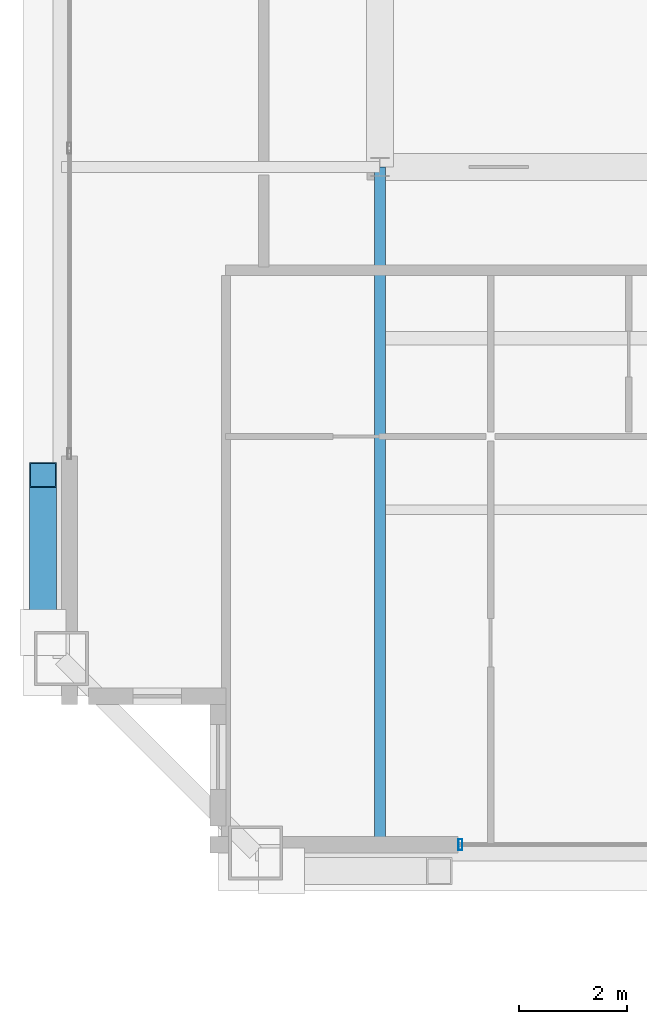
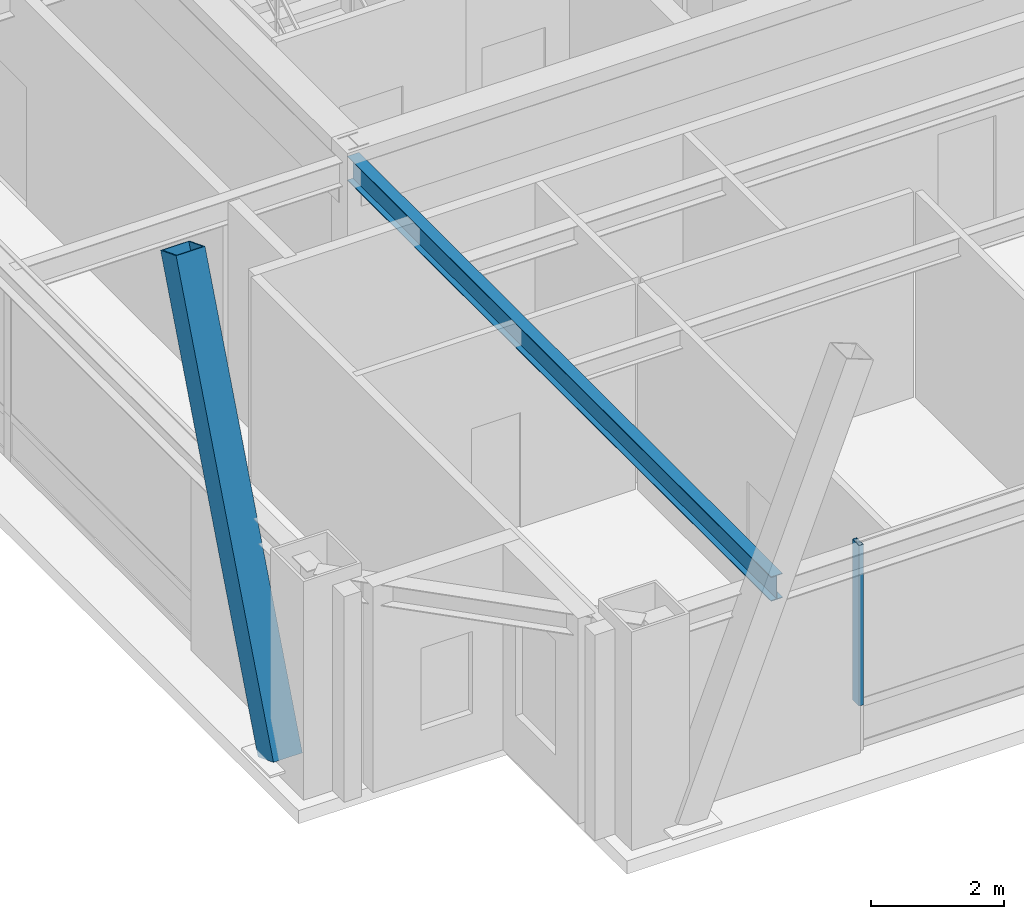
# One storey, part 4 of 35: 2 members, 1 beam, 1 element without a shape of its own.
"""IFC4 building model written with IfcOpenShell, lengths in metres."""

from ifc_helpers import new_model, si_unit, direction, frame, origin, origin_2d, place, context, subcontext, project, spatial, hollow_rectangle, i_section, extrude, source, transform, mapped, material, layer, layer_set, material_profile, profile_set, type_object, element, aggregate, save


model = new_model("IFC4")

# Units and contexts
model_context = context("Model", 3, precision=1e-05, world=origin(), true_north=direction((0.0, 1.0)))
body_context = subcontext(model_context, "Body", "Model", "MODEL_VIEW")
ifc_project = project(units=[si_unit("LENGTHUNIT", "METRE"), si_unit("AREAUNIT", "SQUARE_METRE"), si_unit("VOLUMEUNIT", "CUBIC_METRE"), si_unit("PLANEANGLEUNIT", "RADIAN"), si_unit("MASSUNIT", "GRAM", prefix="KILO"), si_unit("THERMODYNAMICTEMPERATUREUNIT", "KELVIN"), si_unit("POWERUNIT", "WATT")], contexts=[model_context])

# Site, building, storey
site_placement = place(None, origin())
site = spatial("IfcSite", under=ifc_project, at=site_placement, CompositionType="ELEMENT")
building_placement = place(site_placement, origin())
building = spatial("IfcBuilding", under=site, at=building_placement, Name="Yuzanri Waterfront Tower", CompositionType="ELEMENT")
storey_placement = place(building_placement, frame((0.0, 0.0, 343.199951171875)))
storey = spatial("IfcBuildingStorey", under=building, at=storey_placement, Name="L92", CompositionType="ELEMENT", Elevation=343.199951171875)

# Beam
ifc_material_1 = material(Name="Steel Q355B", Category="steel")
ifc_material_profile_1 = material_profile(ifc_material_1, i_section(OverallWidth=0.199951171875, OverallDepth=0.449951171875, WebThickness=0.009033203125, FlangeThickness=0.013916015625, at=origin_2d()), Name="HN 450x200x9x14")
ifc_profile_set_1 = profile_set([ifc_material_profile_1], Name="Steel Q355B")
beam_type = type_object("IfcBeamType", Name="Secondary Floor Beam Q355B HN 450x200", PredefinedType="BEAM", material=ifc_profile_set_1)
shared_shape_1 = source(origin(), body_context, "Body", "SweptSolid", [
    extrude(i_section(OverallWidth=0.199951171875, OverallDepth=0.449951171875, WebThickness=0.009033203125, FlangeThickness=0.013916015625, at=origin_2d()), origin(), (0.0, 0.0, 1.0), 12.699951171875),
])
beam_placement = place(storey_placement, frame((23.800048828125, 19.39990234375, 3.53515625), z_axis=(0.0, -1.0, 0.0), x_axis=(1.0, 0.0, 0.0)))
element("IfcBeam", 1, at=beam_placement, inside=storey, type_object=beam_type, Name="L92 South-West Core Line Beam", PredefinedType="BEAM", context=body_context, shape_type="MappedRepresentation", body=[
    mapped(shared_shape_1, transform((0.0, 0.0, 0.0), scale=1.0)),
])

# Member
ifc_material_2 = material(Name="Steel Q390GJC", Category="steel")
ifc_material_profile_2 = material_profile(ifc_material_2, hollow_rectangle(XDim=0.5, YDim=0.5, WallThickness=0.02197265625, at=origin_2d()), Name="RHS 500x500x22")
ifc_profile_set_2 = profile_set([ifc_material_profile_2], Name="Steel Q390GJC")
member_type_1 = type_object("IfcMemberType", Name="Mega Brace Upper Q390GJC RHS 500x500x22", PredefinedType="BRACE", material=ifc_profile_set_2)
shared_shape_2 = source(origin(), body_context, "Body", "SweptSolid", [
    extrude(hollow_rectangle(XDim=0.5, YDim=0.5, WallThickness=0.02197265625, at=origin_2d()), origin(), (0.0, 0.0, 1.0), 8.04833984375),
])
member_1_placement = place(storey_placement, frame((17.56005859375, 10.780029296875, 0.179931640625), z_axis=(0.0, 0.362797559625, 0.931867979238), x_axis=(-1.0, 0.0, 0.0)))
element("IfcMember", 2, at=member_1_placement, inside=storey, type_object=member_type_1, Name="L92-L93 Perimeter Mega-Brace W-L", PredefinedType="BRACE", context=body_context, shape_type="MappedRepresentation", body=[
    mapped(shared_shape_2, transform((0.0, 0.0, 0.0), scale=1.0)),
])

# Curtain wall, member
ifc_material_3 = material(Name="Anodized Architectural Bronze", Category="metal")
ifc_layer = layer(ifc_material_3, 0.159912109375)
ifc_layer_set = layer_set([ifc_layer], Name="Anodized Architectural Bronze")
curtain_wall_type = type_object("IfcCurtainWallType", Name="Anodized Bronze High-Rise Penthouse High-Wind Unitized Curtain Wall 6900", PredefinedType="NOTDEFINED", material=ifc_layer_set)
curtain_wall_placement = place(storey_placement, origin())
curtain_wall = element("IfcCurtainWall", 3, at=curtain_wall_placement, inside=storey, type_object=curtain_wall_type, Name="L92 Curtain Wall CW-L92-SL1", PredefinedType="NOTDEFINED")
ifc_material_4 = material(Name="Anodized Architectural Bronze", Category="metal")
ifc_material_profile_3 = material_profile(ifc_material_4, hollow_rectangle(XDim=0.074951171875, YDim=0.199951171875, WallThickness=0.00390625, at=origin_2d()), Name="CWM 75x200")
ifc_profile_set_3 = profile_set([ifc_material_profile_3], Name="Anodized Architectural Bronze")
member_type_2 = type_object("IfcMemberType", Name="Anodized Bronze Primary Curtain-Wall Mullion 75x200", PredefinedType="MULLION", material=ifc_profile_set_3)
shared_shape_3 = source(origin(), body_context, "Body", "SweptSolid", [
    extrude(hollow_rectangle(XDim=0.074951171875, YDim=0.199951171875, WallThickness=0.00390625, at=origin_2d()), origin(), (0.0, 0.0, 1.0), 2.93798828125),
])
member_2_placement = place(storey_placement, frame((25.2900390625, 6.85009765625, 0.822021484375), z_axis=(0.0, 0.0, 1.0), x_axis=(1.0, 0.0, 0.0)))
member_2 = element("IfcMember", 4, at=member_2_placement, type_object=member_type_2, Name="CW-L92-SL1 Upper Mullion 00", PredefinedType="MULLION", context=body_context, shape_type="MappedRepresentation", body=[
    mapped(shared_shape_3, transform((0.0, 0.0, 0.0), scale=1.0)),
])
aggregate(curtain_wall, [member_2])

save(model, "model.ifc")
